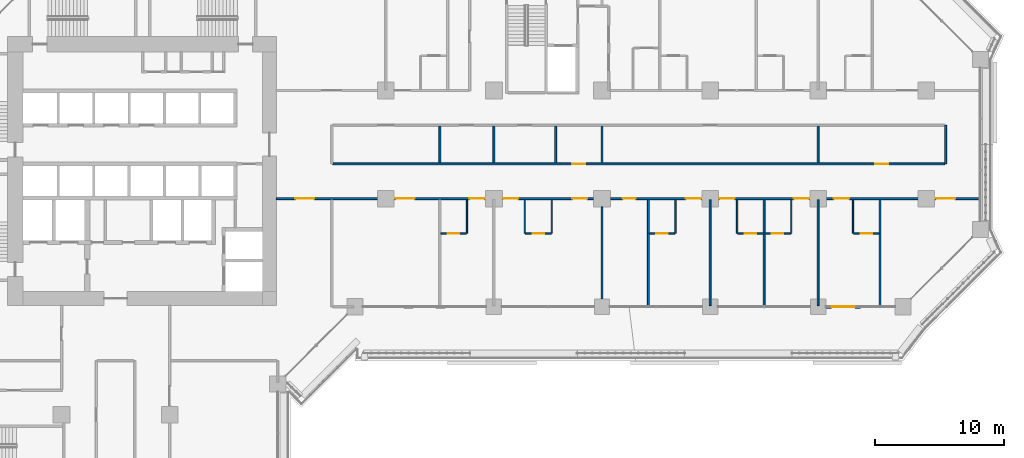
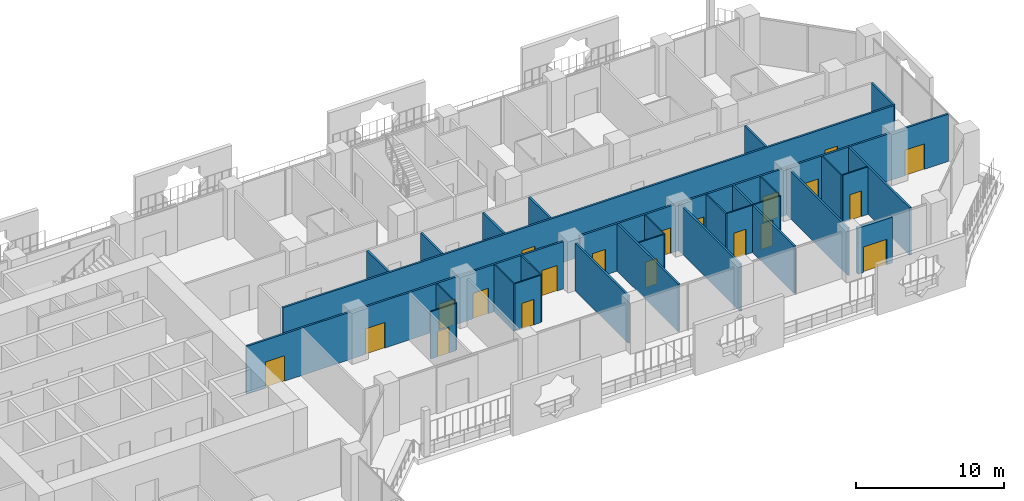
# One storey, part 16 of 27: 28 walls, 20 doors, 20 openings.
"""IFC4 building model written with IfcOpenShell, lengths in metres."""

from ifc_helpers import new_model, si_unit, direction, frame, frame_2d, origin, place, context, subcontext, project, spatial, rectangle, extrude, material, layer, layer_set, type_object, element, fill, save


model = new_model("IFC4")

# Units and contexts
model_context = context("Model", 3, precision=1e-05, world=origin(), true_north=direction((0.0, 1.0)))
body_context = subcontext(model_context, "Body", "Model", "MODEL_VIEW")
ifc_project = project(units=[si_unit("LENGTHUNIT", "METRE"), si_unit("AREAUNIT", "SQUARE_METRE"), si_unit("VOLUMEUNIT", "CUBIC_METRE"), si_unit("PLANEANGLEUNIT", "RADIAN"), si_unit("MASSUNIT", "GRAM", prefix="KILO")], contexts=[model_context])

# Site, building, storey
site_placement = place(None, origin())
site = spatial("IfcSite", under=ifc_project, at=site_placement, CompositionType="ELEMENT")
building_placement = place(site_placement, origin())
building = spatial("IfcBuilding", under=site, at=building_placement, Name="Kawkab Arch Medical Tower", CompositionType="ELEMENT")
storey_placement = place(building_placement, frame((0.0, 0.0, 85.39990234375)))
storey = spatial("IfcBuildingStorey", under=building, at=storey_placement, Name="L19", CompositionType="ELEMENT", Elevation=85.39990234375)

# Wall, opening, door
ifc_material_1 = material(Name="Bronze clad insulated wall panel")
ifc_layer_1 = layer(ifc_material_1, 0.25)
ifc_layer_set_1 = layer_set([ifc_layer_1], Name="Bronze clad insulated wall panel")
wall_type_1 = type_object("IfcWallType", Name="External wall bay 250", PredefinedType="SOLIDWALL", material=ifc_layer_set_1)
wall_1_placement = place(storey_placement, frame((67.800048828125, -25.199951171875, 0.0), z_axis=(0.0, 0.0, 1.0), x_axis=(1.0, 0.0, 0.0)))
wall_1 = element("IfcWall", 1, at=wall_1_placement, inside=storey, type_object=wall_type_1, Name="External wall bay L19.R07.5.1", PredefinedType="SOLIDWALL", context=body_context, shape_type="SweptSolid", body=[
    extrude(rectangle(XDim=2.6875, YDim=0.25, at=frame_2d((1.34375, 0.0))), origin(), (0.0, 0.0, 1.0), 3.780029296875),
])
opening_1_placement = place(wall_1_placement, frame((0.443603515625, 0.0, 0.0)))
opening_1 = element("IfcOpeningElement", 2, at=opening_1_placement, cuts=wall_1, Name="Opening W15B-702", PredefinedType="OPENING", context=body_context, shape_type="SweptSolid", body=[
    extrude(rectangle(XDim=1.800048828125, YDim=2.10009765625, at=frame_2d((0.89990234375, 1.050048828125))), frame((0.0, 0.135009765625, 0.0), z_axis=(0.0, -1.0, 0.0), x_axis=(1.0, 0.0, 0.0)), (0.0, 0.0, 1.0), 0.27001953125),
])
ifc_material_2 = material(Name="Bronze anodised aluminium door with tinted glass", Category="aluminium")
door_type_1 = type_object("IfcDoorType", Name="Double external door 1800 x 2100", OperationType="DOUBLE_DOOR_SINGLE_SWING", PredefinedType="DOOR", material=ifc_material_2)
door_1_placement = place(opening_1_placement, origin())
door_1 = element("IfcDoor", 3, at=door_1_placement, inside=storey, type_object=door_type_1, Name="External door L19.R07.5.1", OperationType="DOUBLE_DOOR_SINGLE_SWING", OverallHeight=2.10009765625, OverallWidth=1.800048828125, PredefinedType="DOOR", context=body_context, shape_type="SweptSolid", body=[
    extrude(rectangle(XDim=1.800048828125, YDim=2.10009765625, at=frame_2d((0.89990234375, 1.050048828125))), frame((0.0, 0.02490234375, 0.0), z_axis=(0.0, -1.0, 0.0), x_axis=(1.0, 0.0, 0.0)), (0.0, 0.0, 1.0), 0.050048828125),
])
fill(opening_1, door_1)

ifc_material_3 = material(Name="Gypsum board partition on steel studs", Category="steel")
ifc_layer_2 = layer(ifc_material_3, 0.10009765625)
ifc_layer_set_2 = layer_set([ifc_layer_2], Name="Gypsum board partition on steel studs")
wall_type_2 = type_object("IfcWallType", Name="Partition 100", PredefinedType="PARTITIONING", material=ifc_layer_set_2)
wall_2_placement = place(storey_placement, frame((37.875, -19.5, 0.0), z_axis=(0.0, 0.0, 1.0), x_axis=(1.0, 0.0, 0.0)))
wall_2 = element("IfcWall", 4, at=wall_2_placement, inside=storey, type_object=wall_type_2, Name="Partition 100 w010", PredefinedType="PARTITIONING", context=body_context, shape_type="SweptSolid", body=[
    extrude(rectangle(XDim=1.97509765625, YDim=0.10009765625, at=frame_2d((0.987548828125, 0.0))), origin(), (0.0, 0.0, 1.0), 3.900146484375),
])
opening_2_placement = place(wall_2_placement, frame((0.52490234375, 0.0, 0.0)))
opening_2 = element("IfcOpeningElement", 5, at=opening_2_placement, cuts=wall_2, Name="Opening W15B-014", PredefinedType="OPENING", context=body_context, shape_type="SweptSolid", body=[
    extrude(rectangle(XDim=0.89990234375, YDim=2.10009765625, at=frame_2d((0.449951171875, 1.050048828125))), frame((0.0, 0.06005859375, 0.0), z_axis=(0.0, -1.0, 0.0), x_axis=(1.0, 0.0, 0.0)), (0.0, 0.0, 1.0), 0.1201171875),
])
ifc_material_4 = material(Name="Timber door leaf", Category="wood")
door_type_2 = type_object("IfcDoorType", Name="Single door 900x2100", OperationType="NOTDEFINED", PredefinedType="DOOR", material=ifc_material_4)
door_2_placement = place(opening_2_placement, origin())
door_2 = element("IfcDoor", 6, at=door_2_placement, inside=storey, type_object=door_type_2, Name="Door W15B-014", OperationType="SINGLE_SWING_RIGHT", OverallHeight=2.10009765625, OverallWidth=0.89990234375, PredefinedType="DOOR", context=body_context, shape_type="SweptSolid", body=[
    extrude(rectangle(XDim=0.89990234375, YDim=2.10009765625, at=frame_2d((0.449951171875, 1.050048828125))), frame((0.0, 0.02490234375, 0.0), z_axis=(0.0, -1.0, 0.0), x_axis=(1.0, 0.0, 0.0)), (0.0, 0.0, 1.0), 0.050048828125),
])
fill(opening_2, door_2)

wall_3_placement = place(storey_placement, frame((44.451904296875, -19.5, 0.0), z_axis=(0.0, 0.0, 1.0), x_axis=(1.0, 0.0, 0.0)))
wall_3 = element("IfcWall", 7, at=wall_3_placement, inside=storey, type_object=wall_type_2, Name="Partition 100 w011", PredefinedType="PARTITIONING", context=body_context, shape_type="SweptSolid", body=[
    extrude(rectangle(XDim=1.99609375, YDim=0.10009765625, at=frame_2d((0.998046875, 0.0))), origin(), (0.0, 0.0, 1.0), 3.900146484375),
])
opening_3_placement = place(wall_3_placement, frame((0.548095703125, 0.0, 0.0)))
opening_3 = element("IfcOpeningElement", 8, at=opening_3_placement, cuts=wall_3, Name="Opening W15B-015", PredefinedType="OPENING", context=body_context, shape_type="SweptSolid", body=[
    extrude(rectangle(XDim=0.89990234375, YDim=2.10009765625, at=frame_2d((0.449951171875, 1.050048828125))), frame((0.0, 0.06005859375, 0.0), z_axis=(0.0, -1.0, 0.0), x_axis=(1.0, 0.0, 0.0)), (0.0, 0.0, 1.0), 0.1201171875),
])
door_3_placement = place(opening_3_placement, origin())
door_3 = element("IfcDoor", 9, at=door_3_placement, inside=storey, type_object=door_type_2, Name="Door W15B-015", OperationType="SINGLE_SWING_LEFT", OverallHeight=2.10009765625, OverallWidth=0.89990234375, PredefinedType="DOOR", context=body_context, shape_type="SweptSolid", body=[
    extrude(rectangle(XDim=0.89990234375, YDim=2.10009765625, at=frame_2d((0.449951171875, 1.050048828125))), frame((0.0, 0.02490234375, 0.0), z_axis=(0.0, -1.0, 0.0), x_axis=(1.0, 0.0, 0.0)), (0.0, 0.0, 1.0), 0.050048828125),
])
fill(opening_3, door_3)

wall_4_placement = place(storey_placement, frame((54.074951171875, -19.5, 0.0), z_axis=(0.0, 0.0, 1.0), x_axis=(1.0, 0.0, 0.0)))
wall_4 = element("IfcWall", 10, at=wall_4_placement, inside=storey, type_object=wall_type_2, Name="Partition 100 w012", PredefinedType="PARTITIONING", context=body_context, shape_type="SweptSolid", body=[
    extrude(rectangle(XDim=1.97509765625, YDim=0.10009765625, at=frame_2d((0.987548828125, 0.0))), origin(), (0.0, 0.0, 1.0), 3.900146484375),
])
opening_4_placement = place(wall_4_placement, frame((0.52490234375, 0.0, 0.0)))
opening_4 = element("IfcOpeningElement", 11, at=opening_4_placement, cuts=wall_4, Name="Opening W15B-016", PredefinedType="OPENING", context=body_context, shape_type="SweptSolid", body=[
    extrude(rectangle(XDim=0.89990234375, YDim=2.10009765625, at=frame_2d((0.449951171875, 1.050048828125))), frame((0.0, 0.06005859375, 0.0), z_axis=(0.0, -1.0, 0.0), x_axis=(1.0, 0.0, 0.0)), (0.0, 0.0, 1.0), 0.1201171875),
])
door_4_placement = place(opening_4_placement, origin())
door_4 = element("IfcDoor", 12, at=door_4_placement, inside=storey, type_object=door_type_2, Name="Door W15B-016", OperationType="SINGLE_SWING_RIGHT", OverallHeight=2.10009765625, OverallWidth=0.89990234375, PredefinedType="DOOR", context=body_context, shape_type="SweptSolid", body=[
    extrude(rectangle(XDim=0.89990234375, YDim=2.10009765625, at=frame_2d((0.449951171875, 1.050048828125))), frame((0.0, 0.02490234375, 0.0), z_axis=(0.0, -1.0, 0.0), x_axis=(1.0, 0.0, 0.0)), (0.0, 0.0, 1.0), 0.050048828125),
])
fill(opening_4, door_4)

# Wall, openings, doors
wall_5_placement = place(storey_placement, frame((60.949951171875, -19.5, 0.0), z_axis=(0.0, 0.0, 1.0), x_axis=(1.0, 0.0, 0.0)))
wall_5 = element("IfcWall", 13, at=wall_5_placement, inside=storey, type_object=wall_type_2, Name="Partition 100 w013", PredefinedType="PARTITIONING", context=body_context, shape_type="SweptSolid", body=[
    extrude(rectangle(XDim=4.10009765625, YDim=0.10009765625, at=frame_2d((2.050048828125, 0.0))), origin(), (0.0, 0.0, 1.0), 3.900146484375),
])
opening_5_placement = place(wall_5_placement, frame((0.550048828125, 0.0, 0.0)))
opening_5 = element("IfcOpeningElement", 14, at=opening_5_placement, cuts=wall_5, Name="Opening W15B-017", PredefinedType="OPENING", context=body_context, shape_type="SweptSolid", body=[
    extrude(rectangle(XDim=0.89990234375, YDim=2.10009765625, at=frame_2d((0.449951171875, 1.050048828125))), frame((0.0, 0.06005859375, 0.0), z_axis=(0.0, -1.0, 0.0), x_axis=(1.0, 0.0, 0.0)), (0.0, 0.0, 1.0), 0.1201171875),
])
opening_6_placement = place(wall_5_placement, frame((2.64990234375, 0.0, 0.0)))
opening_6 = element("IfcOpeningElement", 15, at=opening_6_placement, cuts=wall_5, Name="Opening W15B-018", PredefinedType="OPENING", context=body_context, shape_type="SweptSolid", body=[
    extrude(rectangle(XDim=0.89990234375, YDim=2.10009765625, at=frame_2d((0.449951171875, 1.050048828125))), frame((0.0, 0.06005859375, 0.0), z_axis=(0.0, -1.0, 0.0), x_axis=(1.0, 0.0, 0.0)), (0.0, 0.0, 1.0), 0.1201171875),
])
door_5_placement = place(opening_5_placement, origin())
door_5 = element("IfcDoor", 16, at=door_5_placement, inside=storey, type_object=door_type_2, Name="Door W15B-017", OperationType="SINGLE_SWING_RIGHT", OverallHeight=2.10009765625, OverallWidth=0.89990234375, PredefinedType="DOOR", context=body_context, shape_type="SweptSolid", body=[
    extrude(rectangle(XDim=0.89990234375, YDim=2.10009765625, at=frame_2d((0.449951171875, 1.050048828125))), frame((0.0, 0.02490234375, 0.0), z_axis=(0.0, -1.0, 0.0), x_axis=(1.0, 0.0, 0.0)), (0.0, 0.0, 1.0), 0.050048828125),
])
fill(opening_5, door_5)
door_6_placement = place(opening_6_placement, origin())
door_6 = element("IfcDoor", 17, at=door_6_placement, inside=storey, type_object=door_type_2, Name="Door W15B-018", OperationType="SINGLE_SWING_LEFT", OverallHeight=2.10009765625, OverallWidth=0.89990234375, PredefinedType="DOOR", context=body_context, shape_type="SweptSolid", body=[
    extrude(rectangle(XDim=0.89990234375, YDim=2.10009765625, at=frame_2d((0.449951171875, 1.050048828125))), frame((0.0, 0.02490234375, 0.0), z_axis=(0.0, -1.0, 0.0), x_axis=(1.0, 0.0, 0.0)), (0.0, 0.0, 1.0), 0.050048828125),
])
fill(opening_6, door_6)

# Wall, opening, door
wall_6_placement = place(storey_placement, frame((69.949951171875, -19.5, 0.0), z_axis=(0.0, 0.0, 1.0), x_axis=(1.0, 0.0, 0.0)))
wall_6 = element("IfcWall", 18, at=wall_6_placement, inside=storey, type_object=wall_type_2, Name="Partition 100 w014", PredefinedType="PARTITIONING", context=body_context, shape_type="SweptSolid", body=[
    extrude(rectangle(XDim=1.97509765625, YDim=0.10009765625, at=frame_2d((0.987548828125, 0.0))), origin(), (0.0, 0.0, 1.0), 3.900146484375),
])
opening_7_placement = place(wall_6_placement, frame((0.550048828125, 0.0, 0.0)))
opening_7 = element("IfcOpeningElement", 19, at=opening_7_placement, cuts=wall_6, Name="Opening W15B-019", PredefinedType="OPENING", context=body_context, shape_type="SweptSolid", body=[
    extrude(rectangle(XDim=0.89990234375, YDim=2.10009765625, at=frame_2d((0.449951171875, 1.050048828125))), frame((0.0, 0.06005859375, 0.0), z_axis=(0.0, -1.0, 0.0), x_axis=(1.0, 0.0, 0.0)), (0.0, 0.0, 1.0), 0.1201171875),
])
door_7_placement = place(opening_7_placement, origin())
door_7 = element("IfcDoor", 20, at=door_7_placement, inside=storey, type_object=door_type_2, Name="Door W15B-019", OperationType="SINGLE_SWING_RIGHT", OverallHeight=2.10009765625, OverallWidth=0.89990234375, PredefinedType="DOOR", context=body_context, shape_type="SweptSolid", body=[
    extrude(rectangle(XDim=0.89990234375, YDim=2.10009765625, at=frame_2d((0.449951171875, 1.050048828125))), frame((0.0, 0.02490234375, 0.0), z_axis=(0.0, -1.0, 0.0), x_axis=(1.0, 0.0, 0.0)), (0.0, 0.0, 1.0), 0.050048828125),
])
fill(opening_7, door_7)

# Walls
wall_7_placement = place(storey_placement, frame((39.89990234375, -19.5, 0.0), z_axis=(0.0, 0.0, 1.0), x_axis=(0.0, 1.0, 0.0)))
element("IfcWall", 21, at=wall_7_placement, inside=storey, type_object=wall_type_2, Name="Partition 100 w028", PredefinedType="PARTITIONING", context=body_context, shape_type="SweptSolid", body=[
    extrude(rectangle(XDim=2.625, YDim=0.10009765625, at=frame_2d((1.3125, 0.0))), origin(), (0.0, 0.0, 1.0), 3.900146484375),
])
wall_8_placement = place(storey_placement, frame((44.39990234375, -19.4990234375, 0.0), z_axis=(0.0, 0.0, 1.0), x_axis=(0.0, 1.0, 0.0)))
element("IfcWall", 22, at=wall_8_placement, inside=storey, type_object=wall_type_2, Name="Partition 100 w029", PredefinedType="PARTITIONING", context=body_context, shape_type="SweptSolid", body=[
    extrude(rectangle(XDim=2.6240234375, YDim=0.10009765625, at=frame_2d((1.31201171875, 0.0))), origin(), (0.0, 0.0, 1.0), 3.900146484375),
])
wall_9_placement = place(storey_placement, frame((46.5, -19.498046875, 0.0), z_axis=(0.0, 0.0, 1.0), x_axis=(0.0, 1.0, 0.0)))
element("IfcWall", 23, at=wall_9_placement, inside=storey, type_object=wall_type_2, Name="Partition 100 w030", PredefinedType="PARTITIONING", context=body_context, shape_type="SweptSolid", body=[
    extrude(rectangle(XDim=2.623046875, YDim=0.10009765625, at=frame_2d((1.3115234375, 0.0))), origin(), (0.0, 0.0, 1.0), 3.900146484375),
])
for number, where, z_axis, x_axis, name in (
    (24, (56.10009765625, -19.5, 0.0), (0.0, 0.0, 1.0), (0.0, 1.0, 0.0), "Partition 100 w032"),
    (25, (60.89990234375, -19.5, 0.0), (0.0, 0.0, 1.0), (0.0, 1.0, 0.0), "Partition 100 w034"),
    (26, (65.10009765625, -19.5, 0.0), (0.0, 0.0, 1.0), (0.0, 1.0, 0.0), "Partition 100 w036"),
    (27, (69.89990234375, -19.5, 0.0), (0.0, 0.0, 1.0), (0.0, 1.0, 0.0), "Partition 100 w038"),
):
    element("IfcWall", number, at=place(storey_placement, frame(where, z_axis=z_axis, x_axis=x_axis)), inside=storey, type_object=wall_type_2, Name=name, PredefinedType="PARTITIONING", context=body_context, shape_type="SweptSolid", body=[
        extrude(rectangle(XDim=2.625, YDim=0.10009765625, at=frame_2d((1.3125, 0.0))), origin(), (0.0, 0.0, 1.0), 3.900146484375),
    ])

# Wall, openings, doors
ifc_material_5 = material(Name="Gypsum board partition on steel studs, mineral wool", Category="steel")
ifc_layer_3 = layer(ifc_material_5, 0.14990234375)
ifc_layer_set_3 = layer_set([ifc_layer_3], Name="Gypsum board partition on steel studs, mineral wool")
wall_type_3 = type_object("IfcWallType", Name="Partition 150", PredefinedType="PARTITIONING", material=ifc_layer_set_3)
wall_10_placement = place(storey_placement, frame((25.10009765625, -16.800048828125, 0.0), z_axis=(0.0, 0.0, 1.0), x_axis=(1.0, 0.0, 0.0)))
wall_10 = element("IfcWall", 28, at=wall_10_placement, inside=storey, type_object=wall_type_3, Name="Partition 150 w062", PredefinedType="PARTITIONING", context=body_context, shape_type="SweptSolid", body=[
    extrude(rectangle(XDim=24.64990234375, YDim=0.14990234375, at=frame_2d((12.324951171875, 0.0))), origin(), (0.0, 0.0, 1.0), 3.900146484375),
])
opening_8_placement = place(wall_10_placement, frame((1.449951171875, 0.0, 0.0)))
opening_8 = element("IfcOpeningElement", 29, at=opening_8_placement, cuts=wall_10, Name="Opening W15B-001", PredefinedType="OPENING", context=body_context, shape_type="SweptSolid", body=[
    extrude(rectangle(XDim=1.5, YDim=2.10009765625, at=frame_2d((0.75, 1.050048828125))), frame((0.0, 0.0849609375, 0.0), z_axis=(0.0, -1.0, 0.0), x_axis=(1.0, 0.0, 0.0)), (0.0, 0.0, 1.0), 0.169921875),
])
opening_9_placement = place(wall_10_placement, frame((9.25, 0.0, 0.0)))
opening_9 = element("IfcOpeningElement", 30, at=opening_9_placement, cuts=wall_10, Name="Opening W15B-004", PredefinedType="OPENING", context=body_context, shape_type="SweptSolid", body=[
    extrude(rectangle(XDim=1.5, YDim=2.10009765625, at=frame_2d((0.75, 1.050048828125))), frame((0.0, 0.0849609375, 0.0), z_axis=(0.0, -1.0, 0.0), x_axis=(1.0, 0.0, 0.0)), (0.0, 0.0, 1.0), 0.169921875),
])
opening_10_placement = place(wall_10_placement, frame((15.0, 0.0, 0.0)))
opening_10 = element("IfcOpeningElement", 31, at=opening_10_placement, cuts=wall_10, Name="Opening W15B-053", PredefinedType="OPENING", context=body_context, shape_type="SweptSolid", body=[
    extrude(rectangle(XDim=1.199951171875, YDim=2.10009765625, at=frame_2d((0.60009765625, 1.050048828125))), frame((0.0, 0.0849609375, 0.0), z_axis=(0.0, -1.0, 0.0), x_axis=(1.0, 0.0, 0.0)), (0.0, 0.0, 1.0), 0.169921875),
])
opening_11_placement = place(wall_10_placement, frame((22.967041015625, 0.0, 0.0)))
opening_11 = element("IfcOpeningElement", 32, at=opening_11_placement, cuts=wall_10, Name="Opening W15B-054", PredefinedType="OPENING", context=body_context, shape_type="SweptSolid", body=[
    extrude(rectangle(XDim=1.199951171875, YDim=2.10009765625, at=frame_2d((0.60009765625, 1.050048828125))), frame((0.0, 0.0849609375, 0.0), z_axis=(0.0, -1.0, 0.0), x_axis=(1.0, 0.0, 0.0)), (0.0, 0.0, 1.0), 0.169921875),
])
opening_12_placement = place(wall_10_placement, frame((17.60009765625, 0.0, 0.0)))
opening_12 = element("IfcOpeningElement", 33, at=opening_12_placement, cuts=wall_10, Name="Opening W15B-055", PredefinedType="OPENING", context=body_context, shape_type="SweptSolid", body=[
    extrude(rectangle(XDim=1.199951171875, YDim=2.10009765625, at=frame_2d((0.60009765625, 1.050048828125))), frame((0.0, 0.0849609375, 0.0), z_axis=(0.0, -1.0, 0.0), x_axis=(1.0, 0.0, 0.0)), (0.0, 0.0, 1.0), 0.169921875),
])
ifc_material_6 = material(Name="Hollow metal door leaf")
door_type_3 = type_object("IfcDoorType", Name="Double door 1500x2100 FD30S", OperationType="NOTDEFINED", PredefinedType="DOOR", material=ifc_material_6)
door_8_placement = place(opening_8_placement, origin())
door_8 = element("IfcDoor", 34, at=door_8_placement, inside=storey, type_object=door_type_3, Name="Door W15B-001", OperationType="DOUBLE_DOOR_SINGLE_SWING", OverallHeight=2.10009765625, OverallWidth=1.5, PredefinedType="DOOR", context=body_context, shape_type="SweptSolid", body=[
    extrude(rectangle(XDim=1.5, YDim=2.10009765625, at=frame_2d((0.75, 1.050048828125))), frame((0.0, 0.02490234375, 0.0), z_axis=(0.0, -1.0, 0.0), x_axis=(1.0, 0.0, 0.0)), (0.0, 0.0, 1.0), 0.050048828125),
])
fill(opening_8, door_8)
door_9_placement = place(opening_9_placement, origin())
door_9 = element("IfcDoor", 35, at=door_9_placement, inside=storey, type_object=door_type_3, Name="Door W15B-004", OperationType="DOUBLE_DOOR_SINGLE_SWING", OverallHeight=2.10009765625, OverallWidth=1.5, PredefinedType="DOOR", context=body_context, shape_type="SweptSolid", body=[
    extrude(rectangle(XDim=1.5, YDim=2.10009765625, at=frame_2d((0.75, 1.050048828125))), frame((0.0, 0.02490234375, 0.0), z_axis=(0.0, -1.0, 0.0), x_axis=(1.0, 0.0, 0.0)), (0.0, 0.0, 1.0), 0.050048828125),
])
fill(opening_9, door_9)
ifc_material_7 = material(Name="Hollow metal door leaf")
door_type_4 = type_object("IfcDoorType", Name="Single door 1200x2100 FD30S", OperationType="NOTDEFINED", PredefinedType="DOOR", material=ifc_material_7)
door_10_placement = place(opening_10_placement, origin())
door_10 = element("IfcDoor", 36, at=door_10_placement, inside=storey, type_object=door_type_4, Name="Door W15B-053", OperationType="SINGLE_SWING_LEFT", OverallHeight=2.10009765625, OverallWidth=1.199951171875, PredefinedType="DOOR", context=body_context, shape_type="SweptSolid", body=[
    extrude(rectangle(XDim=1.199951171875, YDim=2.10009765625, at=frame_2d((0.60009765625, 1.050048828125))), frame((0.0, 0.02490234375, 0.0), z_axis=(0.0, -1.0, 0.0), x_axis=(1.0, 0.0, 0.0)), (0.0, 0.0, 1.0), 0.050048828125),
])
fill(opening_10, door_10)
door_11_placement = place(opening_11_placement, origin())
door_11 = element("IfcDoor", 37, at=door_11_placement, inside=storey, type_object=door_type_4, Name="Door W15B-054", OperationType="SINGLE_SWING_LEFT", OverallHeight=2.10009765625, OverallWidth=1.199951171875, PredefinedType="DOOR", context=body_context, shape_type="SweptSolid", body=[
    extrude(rectangle(XDim=1.199951171875, YDim=2.10009765625, at=frame_2d((0.60009765625, 1.050048828125))), frame((0.0, 0.02490234375, 0.0), z_axis=(0.0, -1.0, 0.0), x_axis=(1.0, 0.0, 0.0)), (0.0, 0.0, 1.0), 0.050048828125),
])
fill(opening_11, door_11)
door_12_placement = place(opening_12_placement, origin())
door_12 = element("IfcDoor", 38, at=door_12_placement, inside=storey, type_object=door_type_4, Name="Door W15B-055", OperationType="SINGLE_SWING_LEFT", OverallHeight=2.10009765625, OverallWidth=1.199951171875, PredefinedType="DOOR", context=body_context, shape_type="SweptSolid", body=[
    extrude(rectangle(XDim=1.199951171875, YDim=2.10009765625, at=frame_2d((0.60009765625, 1.050048828125))), frame((0.0, 0.02490234375, 0.0), z_axis=(0.0, -1.0, 0.0), x_axis=(1.0, 0.0, 0.0)), (0.0, 0.0, 1.0), 0.050048828125),
])
fill(opening_12, door_12)

wall_11_placement = place(storey_placement, frame((51.050048828125, -16.800048828125, 0.0), z_axis=(0.0, 0.0, 1.0), x_axis=(1.0, 0.0, 0.0)))
wall_11 = element("IfcWall", 39, at=wall_11_placement, inside=storey, type_object=wall_type_3, Name="Partition 150 w063", PredefinedType="PARTITIONING", context=body_context, shape_type="SweptSolid", body=[
    extrude(rectangle(XDim=28.669921875, YDim=0.14990234375, at=frame_2d((14.3349609375, 0.0))), origin(), (0.0, 0.0, 1.0), 3.900146484375),
])
opening_13_placement = place(wall_11_placement, frame((0.97509765625, 0.0, 0.0)))
opening_13 = element("IfcOpeningElement", 40, at=opening_13_placement, cuts=wall_11, Name="Opening W15B-032", PredefinedType="OPENING", context=body_context, shape_type="SweptSolid", body=[
    extrude(rectangle(XDim=1.0, YDim=2.10009765625, at=frame_2d((0.5, 1.050048828125))), frame((0.0, 0.0849609375, 0.0), z_axis=(0.0, -1.0, 0.0), x_axis=(1.0, 0.0, 0.0)), (0.0, 0.0, 1.0), 0.169921875),
])
opening_14_placement = place(wall_11_placement, frame((5.85009765625, 0.0, 0.0)))
opening_14 = element("IfcOpeningElement", 41, at=opening_14_placement, cuts=wall_11, Name="Opening W15B-056", PredefinedType="OPENING", context=body_context, shape_type="SweptSolid", body=[
    extrude(rectangle(XDim=1.199951171875, YDim=2.10009765625, at=frame_2d((0.60009765625, 1.050048828125))), frame((0.0, 0.0849609375, 0.0), z_axis=(0.0, -1.0, 0.0), x_axis=(1.0, 0.0, 0.0)), (0.0, 0.0, 1.0), 0.169921875),
])
opening_15_placement = place(wall_11_placement, frame((8.449951171875, 0.0, 0.0)))
opening_15 = element("IfcOpeningElement", 42, at=opening_15_placement, cuts=wall_11, Name="Opening W15B-057", PredefinedType="OPENING", context=body_context, shape_type="SweptSolid", body=[
    extrude(rectangle(XDim=1.199951171875, YDim=2.10009765625, at=frame_2d((0.60009765625, 1.050048828125))), frame((0.0, 0.0849609375, 0.0), z_axis=(0.0, -1.0, 0.0), x_axis=(1.0, 0.0, 0.0)), (0.0, 0.0, 1.0), 0.169921875),
])
opening_16_placement = place(wall_11_placement, frame((14.25, 0.0, 0.0)))
opening_16 = element("IfcOpeningElement", 43, at=opening_16_placement, cuts=wall_11, Name="Opening W15B-058", PredefinedType="OPENING", context=body_context, shape_type="SweptSolid", body=[
    extrude(rectangle(XDim=1.199951171875, YDim=2.10009765625, at=frame_2d((0.60009765625, 1.050048828125))), frame((0.0, 0.0849609375, 0.0), z_axis=(0.0, -1.0, 0.0), x_axis=(1.0, 0.0, 0.0)), (0.0, 0.0, 1.0), 0.169921875),
])
opening_17_placement = place(wall_11_placement, frame((17.35009765625, 0.0, 0.0)))
opening_17 = element("IfcOpeningElement", 44, at=opening_17_placement, cuts=wall_11, Name="Opening W15B-059", PredefinedType="OPENING", context=body_context, shape_type="SweptSolid", body=[
    extrude(rectangle(XDim=1.199951171875, YDim=2.10009765625, at=frame_2d((0.60009765625, 1.050048828125))), frame((0.0, 0.0849609375, 0.0), z_axis=(0.0, -1.0, 0.0), x_axis=(1.0, 0.0, 0.0)), (0.0, 0.0, 1.0), 0.169921875),
])
opening_18_placement = place(wall_11_placement, frame((25.300048828125, 0.0, 0.0)))
opening_18 = element("IfcOpeningElement", 45, at=opening_18_placement, cuts=wall_11, Name="Opening W15B-005", PredefinedType="OPENING", context=body_context, shape_type="SweptSolid", body=[
    extrude(rectangle(XDim=1.5, YDim=2.10009765625, at=frame_2d((0.75, 1.050048828125))), frame((0.0, 0.0849609375, 0.0), z_axis=(0.0, -1.0, 0.0), x_axis=(1.0, 0.0, 0.0)), (0.0, 0.0, 1.0), 0.169921875),
])
door_13_placement = place(opening_18_placement, origin())
door_13 = element("IfcDoor", 46, at=door_13_placement, inside=storey, type_object=door_type_3, Name="Door W15B-005", OperationType="DOUBLE_DOOR_SINGLE_SWING", OverallHeight=2.10009765625, OverallWidth=1.5, PredefinedType="DOOR", context=body_context, shape_type="SweptSolid", body=[
    extrude(rectangle(XDim=1.5, YDim=2.10009765625, at=frame_2d((0.75, 1.050048828125))), frame((0.0, 0.02490234375, 0.0), z_axis=(0.0, -1.0, 0.0), x_axis=(1.0, 0.0, 0.0)), (0.0, 0.0, 1.0), 0.050048828125),
])
fill(opening_18, door_13)
ifc_material_8 = material(Name="Timber door leaf", Category="wood")
door_type_5 = type_object("IfcDoorType", Name="Single door 1000x2100", OperationType="NOTDEFINED", PredefinedType="DOOR", material=ifc_material_8)
door_14_placement = place(opening_13_placement, origin())
door_14 = element("IfcDoor", 47, at=door_14_placement, inside=storey, type_object=door_type_5, Name="Door W15B-032", OperationType="SINGLE_SWING_RIGHT", OverallHeight=2.10009765625, OverallWidth=1.0, PredefinedType="DOOR", context=body_context, shape_type="SweptSolid", body=[
    extrude(rectangle(XDim=1.0, YDim=2.10009765625, at=frame_2d((0.5, 1.050048828125))), frame((0.0, 0.02490234375, 0.0), z_axis=(0.0, -1.0, 0.0), x_axis=(1.0, 0.0, 0.0)), (0.0, 0.0, 1.0), 0.050048828125),
])
fill(opening_13, door_14)
door_15_placement = place(opening_14_placement, origin())
door_15 = element("IfcDoor", 48, at=door_15_placement, inside=storey, type_object=door_type_4, Name="Door W15B-056", OperationType="SINGLE_SWING_RIGHT", OverallHeight=2.10009765625, OverallWidth=1.199951171875, PredefinedType="DOOR", context=body_context, shape_type="SweptSolid", body=[
    extrude(rectangle(XDim=1.199951171875, YDim=2.10009765625, at=frame_2d((0.60009765625, 1.050048828125))), frame((0.0, 0.02490234375, 0.0), z_axis=(0.0, -1.0, 0.0), x_axis=(1.0, 0.0, 0.0)), (0.0, 0.0, 1.0), 0.050048828125),
])
fill(opening_14, door_15)
door_16_placement = place(opening_15_placement, origin())
door_16 = element("IfcDoor", 49, at=door_16_placement, inside=storey, type_object=door_type_4, Name="Door W15B-057", OperationType="SINGLE_SWING_RIGHT", OverallHeight=2.10009765625, OverallWidth=1.199951171875, PredefinedType="DOOR", context=body_context, shape_type="SweptSolid", body=[
    extrude(rectangle(XDim=1.199951171875, YDim=2.10009765625, at=frame_2d((0.60009765625, 1.050048828125))), frame((0.0, 0.02490234375, 0.0), z_axis=(0.0, -1.0, 0.0), x_axis=(1.0, 0.0, 0.0)), (0.0, 0.0, 1.0), 0.050048828125),
])
fill(opening_15, door_16)
door_17_placement = place(opening_16_placement, origin())
door_17 = element("IfcDoor", 50, at=door_17_placement, inside=storey, type_object=door_type_4, Name="Door W15B-058", OperationType="SINGLE_SWING_LEFT", OverallHeight=2.10009765625, OverallWidth=1.199951171875, PredefinedType="DOOR", context=body_context, shape_type="SweptSolid", body=[
    extrude(rectangle(XDim=1.199951171875, YDim=2.10009765625, at=frame_2d((0.60009765625, 1.050048828125))), frame((0.0, 0.02490234375, 0.0), z_axis=(0.0, -1.0, 0.0), x_axis=(1.0, 0.0, 0.0)), (0.0, 0.0, 1.0), 0.050048828125),
])
fill(opening_16, door_17)
door_18_placement = place(opening_17_placement, origin())
door_18 = element("IfcDoor", 51, at=door_18_placement, inside=storey, type_object=door_type_4, Name="Door W15B-059", OperationType="SINGLE_SWING_LEFT", OverallHeight=2.10009765625, OverallWidth=1.199951171875, PredefinedType="DOOR", context=body_context, shape_type="SweptSolid", body=[
    extrude(rectangle(XDim=1.199951171875, YDim=2.10009765625, at=frame_2d((0.60009765625, 1.050048828125))), frame((0.0, 0.02490234375, 0.0), z_axis=(0.0, -1.0, 0.0), x_axis=(1.0, 0.0, 0.0)), (0.0, 0.0, 1.0), 0.050048828125),
])
fill(opening_17, door_18)

wall_12_placement = place(storey_placement, frame((29.47509765625, -14.10009765625, 0.0), z_axis=(0.0, 0.0, 1.0), x_axis=(1.0, 0.0, 0.0)))
wall_12 = element("IfcWall", 52, at=wall_12_placement, inside=storey, type_object=wall_type_3, Name="Partition 150 w064", PredefinedType="PARTITIONING", context=body_context, shape_type="SweptSolid", body=[
    extrude(rectangle(XDim=47.5498046875, YDim=0.14990234375, at=frame_2d((23.77490234375, 0.0))), origin(), (0.0, 0.0, 1.0), 3.900146484375),
])
opening_19_placement = place(wall_12_placement, frame((18.625, 0.0, 0.0)))
opening_19 = element("IfcOpeningElement", 53, at=opening_19_placement, cuts=wall_12, Name="Opening W15B-035", PredefinedType="OPENING", context=body_context, shape_type="SweptSolid", body=[
    extrude(rectangle(XDim=1.0, YDim=2.10009765625, at=frame_2d((0.5, 1.050048828125))), frame((0.0, 0.0849609375, 0.0), z_axis=(0.0, -1.0, 0.0), x_axis=(1.0, 0.0, 0.0)), (0.0, 0.0, 1.0), 0.169921875),
])
opening_20_placement = place(wall_12_placement, frame((42.175048828125, 0.0, 0.0)))
opening_20 = element("IfcOpeningElement", 54, at=opening_20_placement, cuts=wall_12, Name="Opening W15B-037", PredefinedType="OPENING", context=body_context, shape_type="SweptSolid", body=[
    extrude(rectangle(XDim=1.0, YDim=2.10009765625, at=frame_2d((0.5, 1.050048828125))), frame((0.0, 0.0849609375, 0.0), z_axis=(0.0, -1.0, 0.0), x_axis=(1.0, 0.0, 0.0)), (0.0, 0.0, 1.0), 0.169921875),
])
ifc_material_9 = material(Name="Hollow metal door leaf")
door_type_6 = type_object("IfcDoorType", Name="Single door 1000x2100 FD30S", OperationType="NOTDEFINED", PredefinedType="DOOR", material=ifc_material_9)
door_19_placement = place(opening_19_placement, origin())
door_19 = element("IfcDoor", 55, at=door_19_placement, inside=storey, type_object=door_type_6, Name="Door W15B-035", OperationType="SINGLE_SWING_LEFT", OverallHeight=2.10009765625, OverallWidth=1.0, PredefinedType="DOOR", context=body_context, shape_type="SweptSolid", body=[
    extrude(rectangle(XDim=1.0, YDim=2.10009765625, at=frame_2d((0.5, 1.050048828125))), frame((0.0, 0.02490234375, 0.0), z_axis=(0.0, -1.0, 0.0), x_axis=(1.0, 0.0, 0.0)), (0.0, 0.0, 1.0), 0.050048828125),
])
fill(opening_19, door_19)
door_20_placement = place(opening_20_placement, origin())
door_20 = element("IfcDoor", 56, at=door_20_placement, inside=storey, type_object=door_type_6, Name="Door W15B-037", OperationType="SINGLE_SWING_RIGHT", OverallHeight=2.10009765625, OverallWidth=1.0, PredefinedType="DOOR", context=body_context, shape_type="SweptSolid", body=[
    extrude(rectangle(XDim=1.0, YDim=2.10009765625, at=frame_2d((0.5, 1.050048828125))), frame((0.0, 0.02490234375, 0.0), z_axis=(0.0, -1.0, 0.0), x_axis=(1.0, 0.0, 0.0)), (0.0, 0.0, 1.0), 0.050048828125),
])
fill(opening_20, door_20)

# Walls
for number, where, z_axis, x_axis, name in (
    (57, (37.800048828125, -14.02490234375, 0.0), (0.0, 0.0, 1.0), (0.0, 1.0, 0.0), "Partition 150 w083"),
    (58, (42.0, -14.02490234375, 0.0), (0.0, 0.0, 1.0), (0.0, 1.0, 0.0), "Partition 150 w087"),
    (59, (46.800048828125, -14.02490234375, 0.0), (0.0, 0.0, 1.0), (0.0, 1.0, 0.0), "Partition 150 w089"),
):
    element("IfcWall", number, at=place(storey_placement, frame(where, z_axis=z_axis, x_axis=x_axis)), inside=storey, type_object=wall_type_3, Name=name, PredefinedType="PARTITIONING", context=body_context, shape_type="SweptSolid", body=[
        extrude(rectangle(XDim=2.849853515625, YDim=0.14990234375, at=frame_2d((1.4248046875, 0.0))), origin(), (0.0, 0.0, 1.0), 3.900146484375),
    ])
wall_13_placement = place(storey_placement, frame((50.39990234375, -24.60009765625, 0.0), z_axis=(0.0, 0.0, 1.0), x_axis=(0.0, 1.0, 0.0)))
element("IfcWall", 60, at=wall_13_placement, inside=storey, type_object=wall_type_3, Name="Partition 150 w090", PredefinedType="PARTITIONING", context=body_context, shape_type="SweptSolid", body=[
    extrude(rectangle(XDim=7.150146484375, YDim=0.14990234375, at=frame_2d((3.5751953125, 0.0))), origin(), (0.0, 0.0, 1.0), 3.900146484375),
])
wall_14_placement = place(storey_placement, frame((50.39990234375, -14.02490234375, 0.0), z_axis=(0.0, 0.0, 1.0), x_axis=(0.0, 1.0, 0.0)))
element("IfcWall", 61, at=wall_14_placement, inside=storey, type_object=wall_type_3, Name="Partition 150 w091", PredefinedType="PARTITIONING", context=body_context, shape_type="SweptSolid", body=[
    extrude(rectangle(XDim=2.849853515625, YDim=0.14990234375, at=frame_2d((1.4248046875, 0.0))), origin(), (0.0, 0.0, 1.0), 3.900146484375),
])
for number, where, z_axis, x_axis, name in (
    (62, (54.0, -25.1201171875, 0.0), (0.0, 0.0, 1.0), (0.0, 1.0, 0.0), "Partition 150 w094"),
    (63, (58.800048828125, -25.1201171875, 0.0), (0.0, 0.0, 1.0), (0.0, 1.0, 0.0), "Partition 150 w096"),
    (64, (63.0, -25.1201171875, 0.0), (0.0, 0.0, 1.0), (0.0, 1.0, 0.0), "Partition 150 w098"),
    (65, (67.199951171875, -25.1201171875, 0.0), (0.0, 0.0, 1.0), (0.0, 1.0, 0.0), "Partition 150 w099"),
):
    element("IfcWall", number, at=place(storey_placement, frame(where, z_axis=z_axis, x_axis=x_axis)), inside=storey, type_object=wall_type_3, Name=name, PredefinedType="PARTITIONING", context=body_context, shape_type="SweptSolid", body=[
        extrude(rectangle(XDim=8.2451171875, YDim=0.14990234375, at=frame_2d((4.12255859375, 0.0))), origin(), (0.0, 0.0, 1.0), 3.900146484375),
    ])
wall_15_placement = place(storey_placement, frame((67.199951171875, -14.02490234375, 0.0), z_axis=(0.0, 0.0, 1.0), x_axis=(0.0, 1.0, 0.0)))
element("IfcWall", 66, at=wall_15_placement, inside=storey, type_object=wall_type_3, Name="Partition 150 w100", PredefinedType="PARTITIONING", context=body_context, shape_type="SweptSolid", body=[
    extrude(rectangle(XDim=2.849853515625, YDim=0.14990234375, at=frame_2d((1.4248046875, 0.0))), origin(), (0.0, 0.0, 1.0), 3.900146484375),
])
wall_16_placement = place(storey_placement, frame((72.0, -25.1201171875, 0.0), z_axis=(0.0, 0.0, 1.0), x_axis=(0.0, 1.0, 0.0)))
element("IfcWall", 67, at=wall_16_placement, inside=storey, type_object=wall_type_3, Name="Partition 150 w103", PredefinedType="PARTITIONING", context=body_context, shape_type="SweptSolid", body=[
    extrude(rectangle(XDim=8.2451171875, YDim=0.14990234375, at=frame_2d((4.12255859375, 0.0))), origin(), (0.0, 0.0, 1.0), 3.900146484375),
])
wall_17_placement = place(storey_placement, frame((77.10009765625, -14.10009765625, 0.0), z_axis=(0.0, 0.0, 1.0), x_axis=(0.0, 1.0, 0.0)))
element("IfcWall", 68, at=wall_17_placement, inside=storey, type_object=wall_type_3, Name="Partition 150 w104", PredefinedType="PARTITIONING", context=body_context, shape_type="SweptSolid", body=[
    extrude(rectangle(XDim=3.0, YDim=0.14990234375, at=frame_2d((1.5, 0.0))), origin(), (0.0, 0.0, 1.0), 3.900146484375),
])

save(model, "model.ifc")
